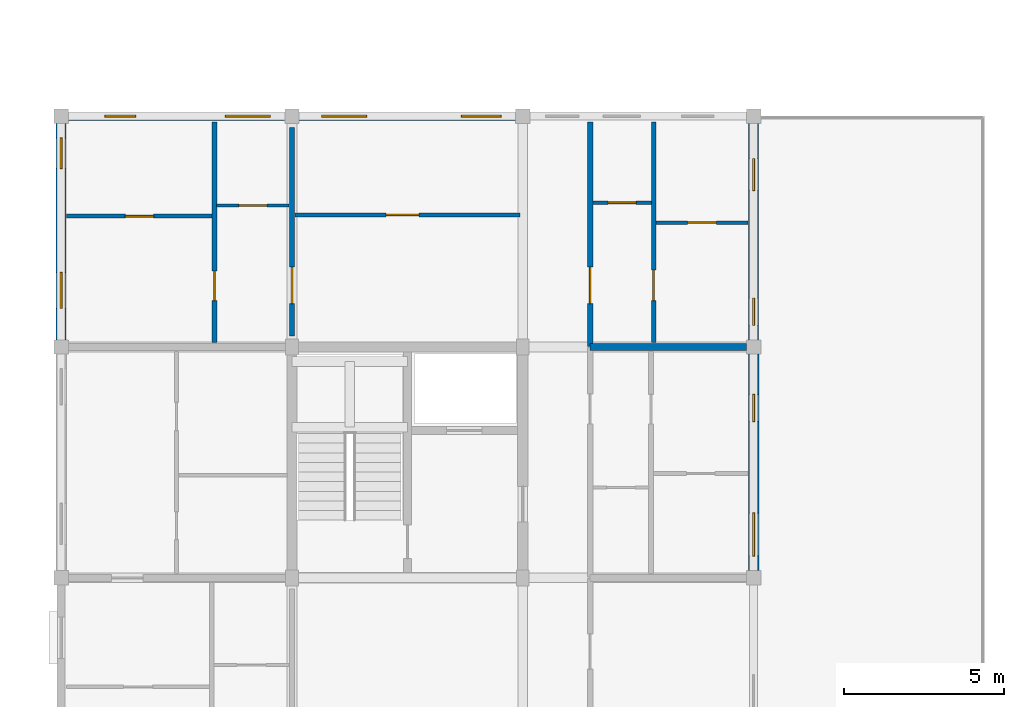
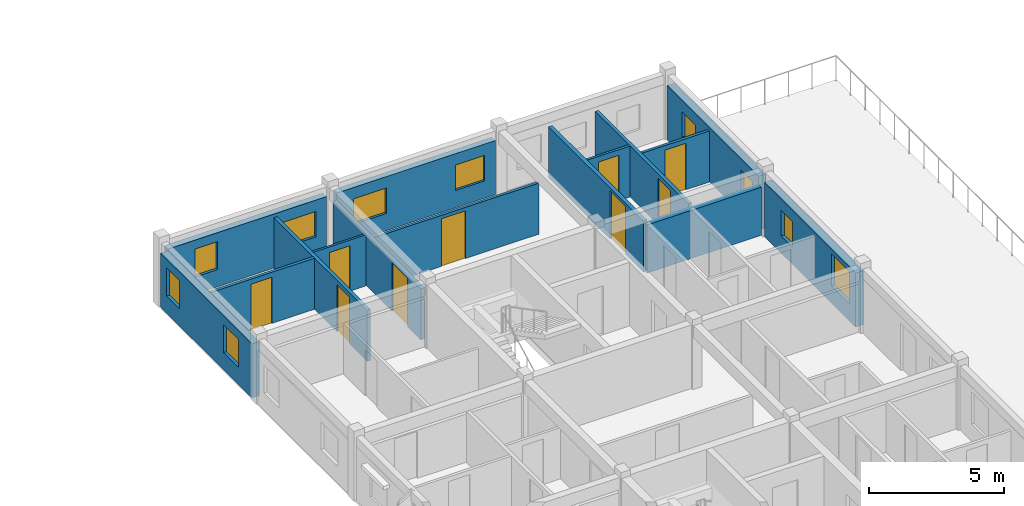
# One storey, part 29 of 40: 15 walls, 10 windows, 9 doors, 19 openings.
"""IFC4 building model written with IfcOpenShell, lengths in metres."""

from ifc_helpers import new_model, si_unit, direction, frame, frame_2d, origin, place, context, subcontext, project, spatial, rectangle, extrude, material, layer, layer_set, type_object, element, fill, save


model = new_model("IFC4")

# Units and contexts
model_context = context("Model", 3, precision=1e-05, world=origin(), true_north=direction((0.0, 1.0)))
body_context = subcontext(model_context, "Body", "Model", "MODEL_VIEW")
ifc_project = project(units=[si_unit("LENGTHUNIT", "METRE"), si_unit("AREAUNIT", "SQUARE_METRE"), si_unit("VOLUMEUNIT", "CUBIC_METRE"), si_unit("PLANEANGLEUNIT", "RADIAN"), si_unit("MASSUNIT", "GRAM", prefix="KILO"), si_unit("THERMODYNAMICTEMPERATUREUNIT", "KELVIN"), si_unit("POWERUNIT", "WATT")], contexts=[model_context])

# Site, building, storey
site_placement = place(None, origin())
site = spatial("IfcSite", under=ifc_project, at=site_placement, CompositionType="ELEMENT")
building_placement = place(site_placement, origin())
building = spatial("IfcBuilding", under=site, at=building_placement, Name="Tavuni Mirador Residences", CompositionType="ELEMENT")
storey_placement = place(building_placement, frame((0.0, 0.0, 36.0)))
storey = spatial("IfcBuildingStorey", under=building, at=storey_placement, Name="L11", CompositionType="ELEMENT", Elevation=36.0)

# Wall, opening, door
ifc_material_1 = material(Name="Precast concrete C40/50", Category="concrete")
ifc_layer_1 = layer(ifc_material_1, 0.1650390625, Name="Precast concrete C40/50", Category="concrete")
ifc_layer_set_1 = layer_set([ifc_layer_1], Name="Precast concrete C40/50")
wall_type_1 = type_object("IfcWallType", Name="WT-CORR165", PredefinedType="PARTITIONING", material=ifc_layer_set_1)
wall_1_placement = place(storey_placement, frame((20.10009765625, 36.02001953125, 0.0), z_axis=(0.0, 0.0, 1.0), x_axis=(0.0, 1.0, 0.0)))
wall_1 = element("IfcWall", 1, at=wall_1_placement, inside=storey, type_object=wall_type_1, Name="CORW-BLK-A-L11-0-04", PredefinedType="PARTITIONING", context=body_context, shape_type="SweptSolid", body=[
    extrude(rectangle(XDim=7.0048828125, YDim=0.1650390625, at=frame_2d((3.50244140625, 0.0))), origin(), (0.0, 0.0, 1.0), 2.304931640625),
])
opening_1_placement = place(wall_1_placement, frame((1.330078125, 0.0, 0.0)))
opening_1 = element("IfcOpeningElement", 2, at=opening_1_placement, cuts=wall_1, Name="Opening D-20", PredefinedType="OPENING", context=body_context, shape_type="SweptSolid", body=[
    extrude(rectangle(XDim=1.139892578125, YDim=2.179931640625, at=frame_2d((0.56982421875, 1.08984375))), frame((0.0, 0.092529296875, 0.0), z_axis=(0.0, -1.0, 0.0), x_axis=(1.0, 0.0, 0.0)), (0.0, 0.0, 1.0), 0.18505859375),
])
ifc_material_2 = material(Name="Solid core iroko timber", Category="wood")
door_type_1 = type_object("IfcDoorType", Name="DT-FD60-1140", OperationType="NOTDEFINED", PredefinedType="DOOR", material=ifc_material_2)
door_1_placement = place(opening_1_placement, origin())
door_1 = element("IfcDoor", 3, at=door_1_placement, inside=storey, type_object=door_type_1, Name="DR-2489", OperationType="SINGLE_SWING_RIGHT", OverallHeight=2.179931640625, OverallWidth=1.139892578125, PredefinedType="DOOR", context=body_context, shape_type="SweptSolid", body=[
    extrude(rectangle(XDim=1.139892578125, YDim=2.179931640625, at=frame_2d((0.56982421875, 1.08984375))), frame((0.0, 0.02490234375, 0.0), z_axis=(0.0, -1.0, 0.0), x_axis=(1.0, 0.0, 0.0)), (0.0, 0.0, 1.0), 0.050048828125),
])
fill(opening_1, door_1)

wall_2_placement = place(storey_placement, frame((10.800048828125, 36.35009765625, 0.0), z_axis=(0.0, 0.0, 1.0), x_axis=(0.0, 1.0, 0.0)))
wall_2 = element("IfcWall", 4, at=wall_2_placement, inside=storey, type_object=wall_type_1, Name="CORW-BLK-A-L11-1-04", PredefinedType="PARTITIONING", context=body_context, shape_type="SweptSolid", body=[
    extrude(rectangle(XDim=6.5, YDim=0.1650390625, at=frame_2d((3.25, 0.0))), origin(), (0.0, 0.0, 1.0), 2.304931640625),
])
opening_2_placement = place(wall_2_placement, frame((1.0, 0.0, 0.0)))
opening_2 = element("IfcOpeningElement", 5, at=opening_2_placement, cuts=wall_2, Name="Opening D-20", PredefinedType="OPENING", context=body_context, shape_type="SweptSolid", body=[
    extrude(rectangle(XDim=1.139892578125, YDim=2.179931640625, at=frame_2d((0.56982421875, 1.08984375))), frame((0.0, 0.092529296875, 0.0), z_axis=(0.0, -1.0, 0.0), x_axis=(1.0, 0.0, 0.0)), (0.0, 0.0, 1.0), 0.18505859375),
])
door_2_placement = place(opening_2_placement, origin())
door_2 = element("IfcDoor", 6, at=door_2_placement, inside=storey, type_object=door_type_1, Name="DR-2492", OperationType="SINGLE_SWING_LEFT", OverallHeight=2.179931640625, OverallWidth=1.139892578125, PredefinedType="DOOR", context=body_context, shape_type="SweptSolid", body=[
    extrude(rectangle(XDim=1.139892578125, YDim=2.179931640625, at=frame_2d((0.56982421875, 1.08984375))), frame((0.0, 0.02490234375, 0.0), z_axis=(0.0, -1.0, 0.0), x_axis=(1.0, 0.0, 0.0)), (0.0, 0.0, 1.0), 0.050048828125),
])
fill(opening_2, door_2)

# Wall, openings, windows
ifc_layer_2 = layer(ifc_material_1, 0.330078125, Name="Precast concrete C40/50", Category="concrete")
ifc_layer_set_2 = layer_set([ifc_layer_2], Name="Precast concrete C40/50")
wall_type_2 = type_object("IfcWallType", Name="WT-EXT-COR330", PredefinedType="SOLIDWALL", material=ifc_layer_set_2)
wall_3_placement = place(storey_placement, frame((25.199951171875, 29.02490234375, 0.0), z_axis=(0.0, 0.0, 1.0), x_axis=(0.0, 1.0, 0.0)))
wall_3 = element("IfcWall", 7, at=wall_3_placement, inside=storey, type_object=wall_type_2, Name="EW-BLK-A-L11-E03", PredefinedType="SOLIDWALL", context=body_context, shape_type="SweptSolid", body=[
    extrude(rectangle(XDim=6.75, YDim=0.330078125, at=frame_2d((3.375, 0.0))), origin(), (0.0, 0.0, 1.0), 2.43994140625),
])
opening_3_placement = place(wall_3_placement, frame((0.449951171875, 0.0, 0.780029296875)))
opening_3 = element("IfcOpeningElement", 8, at=opening_3_placement, cuts=wall_3, Name="Opening WN-29", PredefinedType="OPENING", context=body_context, shape_type="SweptSolid", body=[
    extrude(rectangle(XDim=1.35009765625, YDim=1.43994140625, at=frame_2d((0.675048828125, 0.719970703125))), frame((0.0, 0.175048828125, 0.0), z_axis=(0.0, -1.0, 0.0), x_axis=(1.0, 0.0, 0.0)), (0.0, 0.0, 1.0), 0.35009765625),
])
opening_4_placement = place(wall_3_placement, frame((4.64990234375, 0.0, 0.780029296875)))
opening_4 = element("IfcOpeningElement", 9, at=opening_4_placement, cuts=wall_3, Name="Opening WN-01", PredefinedType="OPENING", context=body_context, shape_type="SweptSolid", body=[
    extrude(rectangle(XDim=0.85009765625, YDim=1.14990234375, at=frame_2d((0.425048828125, 0.574951171875))), frame((0.0, 0.175048828125, 0.0), z_axis=(0.0, -1.0, 0.0), x_axis=(1.0, 0.0, 0.0)), (0.0, 0.0, 1.0), 0.35009765625),
])
ifc_material_3 = material(Name="Laminated solar-control glass", Category="glass")
window_type_1 = type_object("IfcWindowType", Name="WNT-01", PartitioningType="SINGLE_PANEL", PredefinedType="WINDOW", material=ifc_material_3)
window_1_placement = place(opening_4_placement, origin())
window_1 = element("IfcWindow", 10, at=window_1_placement, inside=storey, type_object=window_type_1, Name="WIN-0408", OverallHeight=1.14990234375, OverallWidth=0.85009765625, PartitioningType="SINGLE_PANEL", PredefinedType="WINDOW", context=body_context, shape_type="SweptSolid", body=[
    extrude(rectangle(XDim=0.85009765625, YDim=1.14990234375, at=frame_2d((0.425048828125, 0.574951171875))), frame((0.0, 0.030029296875, 0.0), z_axis=(0.0, -1.0, 0.0), x_axis=(1.0, 0.0, 0.0)), (0.0, 0.0, 1.0), 0.06005859375),
])
fill(opening_4, window_1)
window_type_2 = type_object("IfcWindowType", Name="WNT-29", PartitioningType="SINGLE_PANEL", PredefinedType="WINDOW", material=ifc_material_3)
window_2_placement = place(opening_3_placement, origin())
window_2 = element("IfcWindow", 11, at=window_2_placement, inside=storey, type_object=window_type_2, Name="WIN-0407", OverallHeight=1.43994140625, OverallWidth=1.35009765625, PartitioningType="SINGLE_PANEL", PredefinedType="WINDOW", context=body_context, shape_type="SweptSolid", body=[
    extrude(rectangle(XDim=1.35009765625, YDim=1.43994140625, at=frame_2d((0.675048828125, 0.719970703125))), frame((0.0, 0.030029296875, 0.0), z_axis=(0.0, -1.0, 0.0), x_axis=(1.0, 0.0, 0.0)), (0.0, 0.0, 1.0), 0.06005859375),
])
fill(opening_3, window_2)

ifc_material_4 = material(Name="Sgraffito lime-rendered precast concrete C40/50", Category="concrete")
ifc_layer_3 = layer(ifc_material_4, 0.2548828125, Name="Sgraffito lime-rendered precast concrete C40/50", Category="concrete")
ifc_layer_set_3 = layer_set([ifc_layer_3], Name="Sgraffito lime-rendered precast concrete C40/50")
wall_type_3 = type_object("IfcWallType", Name="WT-EXT-PC255", PredefinedType="SOLIDWALL", material=ifc_layer_set_3)
wall_4_placement = place(storey_placement, frame((17.77490234375, 43.199951171875, 0.0), z_axis=(0.0, 0.0, 1.0), x_axis=(-1.0, 0.0, 0.0)))
wall_4 = element("IfcWall", 12, at=wall_4_placement, inside=storey, type_object=wall_type_3, Name="EW-BLK-A-L11-N01", PredefinedType="SOLIDWALL", context=body_context, shape_type="SweptSolid", body=[
    extrude(rectangle(XDim=6.75, YDim=0.2548828125, at=frame_2d((3.375, 0.0))), origin(), (0.0, 0.0, 1.0), 2.43994140625),
])
opening_5_placement = place(wall_4_placement, frame((0.449951171875, 0.0, 0.780029296875)))
opening_5 = element("IfcOpeningElement", 13, at=opening_5_placement, cuts=wall_4, Name="Opening WN-06", PredefinedType="OPENING", context=body_context, shape_type="SweptSolid", body=[
    extrude(rectangle(XDim=1.239990234375, YDim=1.14990234375, at=frame_2d((0.6201171875, 0.574951171875))), frame((0.0, 0.137451171875, 0.0), z_axis=(0.0, -1.0, 0.0), x_axis=(1.0, 0.0, 0.0)), (0.0, 0.0, 1.0), 0.27490234375),
])
opening_6_placement = place(wall_4_placement, frame((4.64990234375, 0.0, 0.780029296875)))
opening_6 = element("IfcOpeningElement", 14, at=opening_6_placement, cuts=wall_4, Name="Opening WN-08", PredefinedType="OPENING", context=body_context, shape_type="SweptSolid", body=[
    extrude(rectangle(XDim=1.39990234375, YDim=1.14990234375, at=frame_2d((0.699951171875, 0.574951171875))), frame((0.0, 0.137451171875, 0.0), z_axis=(0.0, -1.0, 0.0), x_axis=(1.0, 0.0, 0.0)), (0.0, 0.0, 1.0), 0.27490234375),
])
window_type_3 = type_object("IfcWindowType", Name="WNT-06", PartitioningType="SINGLE_PANEL", PredefinedType="WINDOW", material=ifc_material_3)
window_3_placement = place(opening_5_placement, origin())
window_3 = element("IfcWindow", 15, at=window_3_placement, inside=storey, type_object=window_type_3, Name="WIN-0414", OverallHeight=1.14990234375, OverallWidth=1.239990234375, PartitioningType="SINGLE_PANEL", PredefinedType="WINDOW", context=body_context, shape_type="SweptSolid", body=[
    extrude(rectangle(XDim=1.239990234375, YDim=1.14990234375, at=frame_2d((0.6201171875, 0.574951171875))), frame((0.0, 0.030029296875, 0.0), z_axis=(0.0, -1.0, 0.0), x_axis=(1.0, 0.0, 0.0)), (0.0, 0.0, 1.0), 0.06005859375),
])
fill(opening_5, window_3)
window_type_4 = type_object("IfcWindowType", Name="WNT-08", PartitioningType="SINGLE_PANEL", PredefinedType="WINDOW", material=ifc_material_3)
window_4_placement = place(opening_6_placement, origin())
window_4 = element("IfcWindow", 16, at=window_4_placement, inside=storey, type_object=window_type_4, Name="WIN-0415", OverallHeight=1.14990234375, OverallWidth=1.39990234375, PartitioningType="SINGLE_PANEL", PredefinedType="WINDOW", context=body_context, shape_type="SweptSolid", body=[
    extrude(rectangle(XDim=1.39990234375, YDim=1.14990234375, at=frame_2d((0.699951171875, 0.574951171875))), frame((0.0, 0.030029296875, 0.0), z_axis=(0.0, -1.0, 0.0), x_axis=(1.0, 0.0, 0.0)), (0.0, 0.0, 1.0), 0.06005859375),
])
fill(opening_6, window_4)

ifc_layer_4 = layer(ifc_material_4, 0.27490234375, Name="Sgraffito lime-rendered precast concrete C40/50", Category="concrete")
ifc_layer_set_4 = layer_set([ifc_layer_4], Name="Sgraffito lime-rendered precast concrete C40/50")
wall_type_4 = type_object("IfcWallType", Name="WT-EXT-PC275", PredefinedType="SOLIDWALL", material=ifc_layer_set_4)
wall_5_placement = place(storey_placement, frame((10.574951171875, 43.199951171875, 0.0), z_axis=(0.0, 0.0, 1.0), x_axis=(-1.0, 0.0, 0.0)))
wall_5 = element("IfcWall", 17, at=wall_5_placement, inside=storey, type_object=wall_type_4, Name="EW-BLK-A-L11-N00", PredefinedType="SOLIDWALL", context=body_context, shape_type="SweptSolid", body=[
    extrude(rectangle(XDim=6.75, YDim=0.27490234375, at=frame_2d((3.375, 0.0))), origin(), (0.0, 0.0, 1.0), 2.43994140625),
])
opening_7_placement = place(wall_5_placement, frame((0.449951171875, 0.0, 0.780029296875)))
opening_7 = element("IfcOpeningElement", 18, at=opening_7_placement, cuts=wall_5, Name="Opening WN-08", PredefinedType="OPENING", context=body_context, shape_type="SweptSolid", body=[
    extrude(rectangle(XDim=1.39990234375, YDim=1.14990234375, at=frame_2d((0.699951171875, 0.574951171875))), frame((0.0, 0.1474609375, 0.0), z_axis=(0.0, -1.0, 0.0), x_axis=(1.0, 0.0, 0.0)), (0.0, 0.0, 1.0), 0.294921875),
])
opening_8_placement = place(wall_5_placement, frame((4.64990234375, 0.0, 0.780029296875)))
opening_8 = element("IfcOpeningElement", 19, at=opening_8_placement, cuts=wall_5, Name="Opening WN-10", PredefinedType="OPENING", context=body_context, shape_type="SweptSolid", body=[
    extrude(rectangle(XDim=0.9599609375, YDim=1.260009765625, at=frame_2d((0.47998046875, 0.6298828125))), frame((0.0, 0.1474609375, 0.0), z_axis=(0.0, -1.0, 0.0), x_axis=(1.0, 0.0, 0.0)), (0.0, 0.0, 1.0), 0.294921875),
])
window_5_placement = place(opening_7_placement, origin())
window_5 = element("IfcWindow", 20, at=window_5_placement, inside=storey, type_object=window_type_4, Name="WIN-0416", OverallHeight=1.14990234375, OverallWidth=1.39990234375, PartitioningType="SINGLE_PANEL", PredefinedType="WINDOW", context=body_context, shape_type="SweptSolid", body=[
    extrude(rectangle(XDim=1.39990234375, YDim=1.14990234375, at=frame_2d((0.699951171875, 0.574951171875))), frame((0.0, 0.030029296875, 0.0), z_axis=(0.0, -1.0, 0.0), x_axis=(1.0, 0.0, 0.0)), (0.0, 0.0, 1.0), 0.06005859375),
])
fill(opening_7, window_5)
window_type_5 = type_object("IfcWindowType", Name="WNT-10", PartitioningType="SINGLE_PANEL", PredefinedType="WINDOW", material=ifc_material_3)
window_6_placement = place(opening_8_placement, origin())
window_6 = element("IfcWindow", 21, at=window_6_placement, inside=storey, type_object=window_type_5, Name="WIN-0417", OverallHeight=1.260009765625, OverallWidth=0.9599609375, PartitioningType="SINGLE_PANEL", PredefinedType="WINDOW", context=body_context, shape_type="SweptSolid", body=[
    extrude(rectangle(XDim=0.9599609375, YDim=1.260009765625, at=frame_2d((0.47998046875, 0.6298828125))), frame((0.0, 0.030029296875, 0.0), z_axis=(0.0, -1.0, 0.0), x_axis=(1.0, 0.0, 0.0)), (0.0, 0.0, 1.0), 0.06005859375),
])
fill(opening_8, window_6)

ifc_layer_5 = layer(ifc_material_4, 0.31494140625, Name="Sgraffito lime-rendered precast concrete C40/50", Category="concrete")
ifc_layer_set_5 = layer_set([ifc_layer_5], Name="Sgraffito lime-rendered precast concrete C40/50")
wall_type_5 = type_object("IfcWallType", Name="WT-EXT-PC315", PredefinedType="SOLIDWALL", material=ifc_layer_set_5)
wall_6_placement = place(storey_placement, frame((25.199951171875, 36.22509765625, 0.0), z_axis=(0.0, 0.0, 1.0), x_axis=(0.0, 1.0, 0.0)))
wall_6 = element("IfcWall", 22, at=wall_6_placement, inside=storey, type_object=wall_type_5, Name="EW-BLK-A-L11-E04", PredefinedType="SOLIDWALL", context=body_context, shape_type="SweptSolid", body=[
    extrude(rectangle(XDim=6.75, YDim=0.31494140625, at=frame_2d((3.375, 0.0))), origin(), (0.0, 0.0, 1.0), 2.43994140625),
])
opening_9_placement = place(wall_6_placement, frame((0.449951171875, 0.0, 0.780029296875)))
opening_9 = element("IfcOpeningElement", 23, at=opening_9_placement, cuts=wall_6, Name="Opening WN-01", PredefinedType="OPENING", context=body_context, shape_type="SweptSolid", body=[
    extrude(rectangle(XDim=0.85009765625, YDim=1.14990234375, at=frame_2d((0.425048828125, 0.574951171875))), frame((0.0, 0.16748046875, 0.0), z_axis=(0.0, -1.0, 0.0), x_axis=(1.0, 0.0, 0.0)), (0.0, 0.0, 1.0), 0.3349609375),
])
opening_10_placement = place(wall_6_placement, frame((4.64990234375, 0.0, 0.780029296875)))
opening_10 = element("IfcOpeningElement", 24, at=opening_10_placement, cuts=wall_6, Name="Opening WN-03", PredefinedType="OPENING", context=body_context, shape_type="SweptSolid", body=[
    extrude(rectangle(XDim=1.0, YDim=1.14990234375, at=frame_2d((0.5, 0.574951171875))), frame((0.0, 0.16748046875, 0.0), z_axis=(0.0, -1.0, 0.0), x_axis=(1.0, 0.0, 0.0)), (0.0, 0.0, 1.0), 0.3349609375),
])
window_7_placement = place(opening_9_placement, origin())
window_7 = element("IfcWindow", 25, at=window_7_placement, inside=storey, type_object=window_type_1, Name="WIN-0409", OverallHeight=1.14990234375, OverallWidth=0.85009765625, PartitioningType="SINGLE_PANEL", PredefinedType="WINDOW", context=body_context, shape_type="SweptSolid", body=[
    extrude(rectangle(XDim=0.85009765625, YDim=1.14990234375, at=frame_2d((0.425048828125, 0.574951171875))), frame((0.0, 0.030029296875, 0.0), z_axis=(0.0, -1.0, 0.0), x_axis=(1.0, 0.0, 0.0)), (0.0, 0.0, 1.0), 0.06005859375),
])
fill(opening_9, window_7)
window_type_6 = type_object("IfcWindowType", Name="WNT-03", PartitioningType="SINGLE_PANEL", PredefinedType="WINDOW", material=ifc_material_3)
window_8_placement = place(opening_10_placement, origin())
window_8 = element("IfcWindow", 26, at=window_8_placement, inside=storey, type_object=window_type_6, Name="WIN-0410", OverallHeight=1.14990234375, OverallWidth=1.0, PartitioningType="SINGLE_PANEL", PredefinedType="WINDOW", context=body_context, shape_type="SweptSolid", body=[
    extrude(rectangle(XDim=1.0, YDim=1.14990234375, at=frame_2d((0.5, 0.574951171875))), frame((0.0, 0.030029296875, 0.0), z_axis=(0.0, -1.0, 0.0), x_axis=(1.0, 0.0, 0.0)), (0.0, 0.0, 1.0), 0.06005859375),
])
fill(opening_10, window_8)

wall_7_placement = place(storey_placement, frame((3.60009765625, 42.97509765625, 0.0), z_axis=(0.0, 0.0, 1.0), x_axis=(0.0, -1.0, 0.0)))
wall_7 = element("IfcWall", 27, at=wall_7_placement, inside=storey, type_object=wall_type_5, Name="EW-BLK-A-L11-W04", PredefinedType="SOLIDWALL", context=body_context, shape_type="SweptSolid", body=[
    extrude(rectangle(XDim=6.75, YDim=0.31494140625, at=frame_2d((3.375, 0.0))), origin(), (0.0, 0.0, 1.0), 2.43994140625),
])
opening_11_placement = place(wall_7_placement, frame((0.449951171875, 0.0, 0.780029296875)))
opening_11 = element("IfcOpeningElement", 28, at=opening_11_placement, cuts=wall_7, Name="Opening WN-10", PredefinedType="OPENING", context=body_context, shape_type="SweptSolid", body=[
    extrude(rectangle(XDim=0.9599609375, YDim=1.260009765625, at=frame_2d((0.47998046875, 0.6298828125))), frame((0.0, 0.16748046875, 0.0), z_axis=(0.0, -1.0, 0.0), x_axis=(1.0, 0.0, 0.0)), (0.0, 0.0, 1.0), 0.3349609375),
])
opening_12_placement = place(wall_7_placement, frame((4.64990234375, 0.0, 0.780029296875)))
opening_12 = element("IfcOpeningElement", 29, at=opening_12_placement, cuts=wall_7, Name="Opening WN-12", PredefinedType="OPENING", context=body_context, shape_type="SweptSolid", body=[
    extrude(rectangle(XDim=1.1201171875, YDim=1.260009765625, at=frame_2d((0.56005859375, 0.6298828125))), frame((0.0, 0.16748046875, 0.0), z_axis=(0.0, -1.0, 0.0), x_axis=(1.0, 0.0, 0.0)), (0.0, 0.0, 1.0), 0.3349609375),
])
window_9_placement = place(opening_11_placement, origin())
window_9 = element("IfcWindow", 30, at=window_9_placement, inside=storey, type_object=window_type_5, Name="WIN-0418", OverallHeight=1.260009765625, OverallWidth=0.9599609375, PartitioningType="SINGLE_PANEL", PredefinedType="WINDOW", context=body_context, shape_type="SweptSolid", body=[
    extrude(rectangle(XDim=0.9599609375, YDim=1.260009765625, at=frame_2d((0.47998046875, 0.6298828125))), frame((0.0, 0.030029296875, 0.0), z_axis=(0.0, -1.0, 0.0), x_axis=(1.0, 0.0, 0.0)), (0.0, 0.0, 1.0), 0.06005859375),
])
fill(opening_11, window_9)
window_type_7 = type_object("IfcWindowType", Name="WNT-12", PartitioningType="SINGLE_PANEL", PredefinedType="WINDOW", material=ifc_material_3)
window_10_placement = place(opening_12_placement, origin())
window_10 = element("IfcWindow", 31, at=window_10_placement, inside=storey, type_object=window_type_7, Name="WIN-0419", OverallHeight=1.260009765625, OverallWidth=1.1201171875, PartitioningType="SINGLE_PANEL", PredefinedType="WINDOW", context=body_context, shape_type="SweptSolid", body=[
    extrude(rectangle(XDim=1.1201171875, YDim=1.260009765625, at=frame_2d((0.56005859375, 0.6298828125))), frame((0.0, 0.030029296875, 0.0), z_axis=(0.0, -1.0, 0.0), x_axis=(1.0, 0.0, 0.0)), (0.0, 0.0, 1.0), 0.06005859375),
])
fill(opening_12, window_10)

# Wall, opening, door
ifc_material_5 = material(Name="Acoustic gypsum and concrete block partition", Category="concrete")
ifc_layer_6 = layer(ifc_material_5, 0.094970703125, Name="Acoustic gypsum and concrete block partition", Category="concrete")
ifc_layer_set_6 = layer_set([ifc_layer_6], Name="Acoustic gypsum and concrete block partition")
wall_type_6 = type_object("IfcWallType", Name="WT-PART095", PredefinedType="PARTITIONING", material=ifc_layer_set_6)
wall_8_placement = place(storey_placement, frame((8.449951171875, 40.419921875, 0.0), z_axis=(0.0, 0.0, 1.0), x_axis=(1.0, 0.0, 0.0)))
wall_8 = element("IfcWall", 32, at=wall_8_placement, inside=storey, type_object=wall_type_6, Name="PW-BLK-A-L11-W04-IN1", PredefinedType="PARTITIONING", context=body_context, shape_type="SweptSolid", body=[
    extrude(rectangle(XDim=2.260009765625, YDim=0.094970703125, at=frame_2d((1.1298828125, 0.0))), origin(), (0.0, 0.0, 1.0), 2.304931640625),
])
opening_13_placement = place(wall_8_placement, frame((0.695068359375, 0.0, 0.0)))
opening_13 = element("IfcOpeningElement", 33, at=opening_13_placement, cuts=wall_8, Name="Opening D-10", PredefinedType="OPENING", context=body_context, shape_type="SweptSolid", body=[
    extrude(rectangle(XDim=0.8701171875, YDim=2.050048828125, at=frame_2d((0.43505859375, 1.02490234375))), frame((0.0, 0.0576171875, 0.0), z_axis=(0.0, -1.0, 0.0), x_axis=(1.0, 0.0, 0.0)), (0.0, 0.0, 1.0), 0.114990234375),
])
door_type_2 = type_object("IfcDoorType", Name="DT-WC870", OperationType="NOTDEFINED", PredefinedType="DOOR", material=ifc_material_2)
door_3_placement = place(opening_13_placement, origin())
door_3 = element("IfcDoor", 34, at=door_3_placement, inside=storey, type_object=door_type_2, Name="DR-3311", OperationType="SINGLE_SWING_LEFT", OverallHeight=2.050048828125, OverallWidth=0.8701171875, PredefinedType="DOOR", context=body_context, shape_type="SweptSolid", body=[
    extrude(rectangle(XDim=0.8701171875, YDim=2.050048828125, at=frame_2d((0.43505859375, 1.02490234375))), frame((0.0, 0.02490234375, 0.0), z_axis=(0.0, -1.0, 0.0), x_axis=(1.0, 0.0, 0.0)), (0.0, 0.0, 1.0), 0.050048828125),
])
fill(opening_13, door_3)

ifc_layer_7 = layer(ifc_material_5, 0.10498046875, Name="Acoustic gypsum and concrete block partition", Category="concrete")
ifc_layer_set_7 = layer_set([ifc_layer_7], Name="Acoustic gypsum and concrete block partition")
wall_type_7 = type_object("IfcWallType", Name="WT-PART105", PredefinedType="PARTITIONING", material=ifc_layer_set_7)
wall_9_placement = place(storey_placement, frame((20.18994140625, 40.5, 0.0), z_axis=(0.0, 0.0, 1.0), x_axis=(1.0, 0.0, 0.0)))
wall_9 = element("IfcWall", 35, at=wall_9_placement, inside=storey, type_object=wall_type_7, Name="PW-BLK-A-L11-E04-IN1", PredefinedType="PARTITIONING", context=body_context, shape_type="SweptSolid", body=[
    extrude(rectangle(XDim=1.820068359375, YDim=0.10498046875, at=frame_2d((0.91015625, 0.0))), origin(), (0.0, 0.0, 1.0), 2.304931640625),
])
opening_14_placement = place(wall_9_placement, frame((0.47509765625, 0.0, 0.0)))
opening_14 = element("IfcOpeningElement", 36, at=opening_14_placement, cuts=wall_9, Name="Opening D-10", PredefinedType="OPENING", context=body_context, shape_type="SweptSolid", body=[
    extrude(rectangle(XDim=0.8701171875, YDim=2.050048828125, at=frame_2d((0.43505859375, 1.02490234375))), frame((0.0, 0.0625, 0.0), z_axis=(0.0, -1.0, 0.0), x_axis=(1.0, 0.0, 0.0)), (0.0, 0.0, 1.0), 0.125),
])
door_4_placement = place(opening_14_placement, origin())
door_4 = element("IfcDoor", 37, at=door_4_placement, inside=storey, type_object=door_type_2, Name="DR-3314", OperationType="SINGLE_SWING_RIGHT", OverallHeight=2.050048828125, OverallWidth=0.8701171875, PredefinedType="DOOR", context=body_context, shape_type="SweptSolid", body=[
    extrude(rectangle(XDim=0.8701171875, YDim=2.050048828125, at=frame_2d((0.43505859375, 1.02490234375))), frame((0.0, 0.02490234375, 0.0), z_axis=(0.0, -1.0, 0.0), x_axis=(1.0, 0.0, 0.0)), (0.0, 0.0, 1.0), 0.050048828125),
])
fill(opening_14, door_4)

ifc_layer_8 = layer(ifc_material_5, 0.114990234375, Name="Acoustic gypsum and concrete block partition", Category="concrete")
ifc_layer_set_8 = layer_set([ifc_layer_8], Name="Acoustic gypsum and concrete block partition")
wall_type_8 = type_object("IfcWallType", Name="WT-PART115", PredefinedType="PARTITIONING", material=ifc_layer_set_8)
wall_10_placement = place(storey_placement, frame((10.889892578125, 40.1201171875, 0.0), z_axis=(0.0, 0.0, 1.0), x_axis=(1.0, 0.0, 0.0)))
wall_10 = element("IfcWall", 38, at=wall_10_placement, inside=storey, type_object=wall_type_8, Name="PW-SPN-BLK-A-L11-04", PredefinedType="PARTITIONING", context=body_context, shape_type="SweptSolid", body=[
    extrude(rectangle(XDim=7.02001953125, YDim=0.114990234375, at=frame_2d((3.510009765625, 0.0))), origin(), (0.0, 0.0, 1.0), 2.304931640625),
])
opening_15_placement = place(wall_10_placement, frame((2.85009765625, 0.0, 0.0)))
opening_15 = element("IfcOpeningElement", 39, at=opening_15_placement, cuts=wall_10, Name="Opening D-13", PredefinedType="OPENING", context=body_context, shape_type="SweptSolid", body=[
    extrude(rectangle(XDim=1.02001953125, YDim=2.14990234375, at=frame_2d((0.510009765625, 1.074951171875))), frame((0.0, 0.0673828125, 0.0), z_axis=(0.0, -1.0, 0.0), x_axis=(1.0, 0.0, 0.0)), (0.0, 0.0, 1.0), 0.135009765625),
])
door_type_3 = type_object("IfcDoorType", Name="DT-MTG1020", OperationType="NOTDEFINED", PredefinedType="DOOR", material=ifc_material_2)
door_5_placement = place(opening_15_placement, origin())
door_5 = element("IfcDoor", 40, at=door_5_placement, inside=storey, type_object=door_type_3, Name="DR-3309", OperationType="SINGLE_SWING_LEFT", OverallHeight=2.14990234375, OverallWidth=1.02001953125, PredefinedType="DOOR", context=body_context, shape_type="SweptSolid", body=[
    extrude(rectangle(XDim=1.02001953125, YDim=2.14990234375, at=frame_2d((0.510009765625, 1.074951171875))), frame((0.0, 0.02490234375, 0.0), z_axis=(0.0, -1.0, 0.0), x_axis=(1.0, 0.0, 0.0)), (0.0, 0.0, 1.0), 0.050048828125),
])
fill(opening_15, door_5)

wall_11_placement = place(storey_placement, frame((22.14990234375, 39.8798828125, 0.0), z_axis=(0.0, 0.0, 1.0), x_axis=(1.0, 0.0, 0.0)))
wall_11 = element("IfcWall", 41, at=wall_11_placement, inside=storey, type_object=wall_type_8, Name="PW-BLK-A-L11-E04-OUT", PredefinedType="PARTITIONING", context=body_context, shape_type="SweptSolid", body=[
    extrude(rectangle(XDim=2.875, YDim=0.114990234375, at=frame_2d((1.4375, 0.0))), origin(), (0.0, 0.0, 1.0), 2.304931640625),
])
opening_16_placement = place(wall_11_placement, frame((0.987548828125, 0.0, 0.0)))
opening_16 = element("IfcOpeningElement", 42, at=opening_16_placement, cuts=wall_11, Name="Opening D-07", PredefinedType="OPENING", context=body_context, shape_type="SweptSolid", body=[
    extrude(rectangle(XDim=0.89990234375, YDim=2.10009765625, at=frame_2d((0.449951171875, 1.050048828125))), frame((0.0, 0.0673828125, 0.0), z_axis=(0.0, -1.0, 0.0), x_axis=(1.0, 0.0, 0.0)), (0.0, 0.0, 1.0), 0.135009765625),
])
door_type_4 = type_object("IfcDoorType", Name="DT-BED900", OperationType="NOTDEFINED", PredefinedType="DOOR", material=ifc_material_2)
door_6_placement = place(opening_16_placement, origin())
door_6 = element("IfcDoor", 43, at=door_6_placement, inside=storey, type_object=door_type_4, Name="DR-3313", OperationType="SINGLE_SWING_LEFT", OverallHeight=2.10009765625, OverallWidth=0.89990234375, PredefinedType="DOOR", context=body_context, shape_type="SweptSolid", body=[
    extrude(rectangle(XDim=0.89990234375, YDim=2.10009765625, at=frame_2d((0.449951171875, 1.050048828125))), frame((0.0, 0.02490234375, 0.0), z_axis=(0.0, -1.0, 0.0), x_axis=(1.0, 0.0, 0.0)), (0.0, 0.0, 1.0), 0.050048828125),
])
fill(opening_16, door_6)

ifc_layer_9 = layer(ifc_material_5, 0.125, Name="Acoustic gypsum and concrete block partition", Category="concrete")
ifc_layer_set_9 = layer_set([ifc_layer_9], Name="Acoustic gypsum and concrete block partition")
wall_type_9 = type_object("IfcWallType", Name="WT-PART125", PredefinedType="PARTITIONING", material=ifc_layer_set_9)
wall_12_placement = place(storey_placement, frame((3.77490234375, 40.080078125, 0.0), z_axis=(0.0, 0.0, 1.0), x_axis=(1.0, 0.0, 0.0)))
wall_12 = element("IfcWall", 44, at=wall_12_placement, inside=storey, type_object=wall_type_9, Name="PW-BLK-A-L11-W04-OUT", PredefinedType="PARTITIONING", context=body_context, shape_type="SweptSolid", body=[
    extrude(rectangle(XDim=4.53515625, YDim=0.125, at=frame_2d((2.267578125, 0.0))), origin(), (0.0, 0.0, 1.0), 2.304931640625),
])
opening_17_placement = place(wall_12_placement, frame((1.827392578125, 0.0, 0.0)))
opening_17 = element("IfcOpeningElement", 45, at=opening_17_placement, cuts=wall_12, Name="Opening D-08", PredefinedType="OPENING", context=body_context, shape_type="SweptSolid", body=[
    extrude(rectangle(XDim=0.8798828125, YDim=2.080078125, at=frame_2d((0.43994140625, 1.0400390625))), frame((0.0, 0.072509765625, 0.0), z_axis=(0.0, -1.0, 0.0), x_axis=(1.0, 0.0, 0.0)), (0.0, 0.0, 1.0), 0.14501953125),
])
door_type_5 = type_object("IfcDoorType", Name="DT-BED880", OperationType="NOTDEFINED", PredefinedType="DOOR", material=ifc_material_2)
door_7_placement = place(opening_17_placement, origin())
door_7 = element("IfcDoor", 46, at=door_7_placement, inside=storey, type_object=door_type_5, Name="DR-3310", OperationType="SINGLE_SWING_RIGHT", OverallHeight=2.080078125, OverallWidth=0.8798828125, PredefinedType="DOOR", context=body_context, shape_type="SweptSolid", body=[
    extrude(rectangle(XDim=0.8798828125, YDim=2.080078125, at=frame_2d((0.43994140625, 1.0400390625))), frame((0.0, 0.02490234375, 0.0), z_axis=(0.0, -1.0, 0.0), x_axis=(1.0, 0.0, 0.0)), (0.0, 0.0, 1.0), 0.050048828125),
])
fill(opening_17, door_7)

ifc_layer_10 = layer(ifc_material_5, 0.139892578125, Name="Acoustic gypsum and concrete block partition", Category="concrete")
ifc_layer_set_10 = layer_set([ifc_layer_10], Name="Acoustic gypsum and concrete block partition")
wall_type_10 = type_object("IfcWallType", Name="WT-PART140", PredefinedType="PARTITIONING", material=ifc_layer_set_10)
wall_13_placement = place(storey_placement, frame((22.080078125, 36.139892578125, 0.0), z_axis=(0.0, 0.0, 1.0), x_axis=(0.0, 1.0, 0.0)))
wall_13 = element("IfcWall", 47, at=wall_13_placement, inside=storey, type_object=wall_type_10, Name="PW-BLK-A-L11-E04-MID", PredefinedType="PARTITIONING", context=body_context, shape_type="SweptSolid", body=[
    extrude(rectangle(XDim=6.885009765625, YDim=0.139892578125, at=frame_2d((3.4423828125, 0.0))), origin(), (0.0, 0.0, 1.0), 2.304931640625),
])
opening_18_placement = place(wall_13_placement, frame((1.31005859375, 0.0, 0.0)))
opening_18 = element("IfcOpeningElement", 48, at=opening_18_placement, cuts=wall_13, Name="Opening D-05", PredefinedType="OPENING", context=body_context, shape_type="SweptSolid", body=[
    extrude(rectangle(XDim=0.949951171875, YDim=2.10009765625, at=frame_2d((0.47509765625, 1.050048828125))), frame((0.0, 0.080078125, 0.0), z_axis=(0.0, -1.0, 0.0), x_axis=(1.0, 0.0, 0.0)), (0.0, 0.0, 1.0), 0.159912109375),
])
door_type_6 = type_object("IfcDoorType", Name="DT-INT950", OperationType="NOTDEFINED", PredefinedType="DOOR", material=ifc_material_2)
door_8_placement = place(opening_18_placement, origin())
door_8 = element("IfcDoor", 49, at=door_8_placement, inside=storey, type_object=door_type_6, Name="DR-3315", OperationType="SINGLE_SWING_LEFT", OverallHeight=2.10009765625, OverallWidth=0.949951171875, PredefinedType="DOOR", context=body_context, shape_type="SweptSolid", body=[
    extrude(rectangle(XDim=0.949951171875, YDim=2.10009765625, at=frame_2d((0.47509765625, 1.050048828125))), frame((0.0, 0.02490234375, 0.0), z_axis=(0.0, -1.0, 0.0), x_axis=(1.0, 0.0, 0.0)), (0.0, 0.0, 1.0), 0.050048828125),
])
fill(opening_18, door_8)

ifc_layer_11 = layer(ifc_material_5, 0.14990234375, Name="Acoustic gypsum and concrete block partition", Category="concrete")
ifc_layer_set_11 = layer_set([ifc_layer_11], Name="Acoustic gypsum and concrete block partition")
wall_type_11 = type_object("IfcWallType", Name="WT-PART150", PredefinedType="PARTITIONING", material=ifc_layer_set_11)
wall_14_placement = place(storey_placement, frame((8.3798828125, 36.139892578125, 0.0), z_axis=(0.0, 0.0, 1.0), x_axis=(0.0, 1.0, 0.0)))
wall_14 = element("IfcWall", 50, at=wall_14_placement, inside=storey, type_object=wall_type_11, Name="PW-BLK-A-L11-W04-MID", PredefinedType="PARTITIONING", context=body_context, shape_type="SweptSolid", body=[
    extrude(rectangle(XDim=6.885009765625, YDim=0.14990234375, at=frame_2d((3.4423828125, 0.0))), origin(), (0.0, 0.0, 1.0), 2.304931640625),
])
opening_19_placement = place(wall_14_placement, frame((1.31005859375, 0.0, 0.0)))
opening_19 = element("IfcOpeningElement", 51, at=opening_19_placement, cuts=wall_14, Name="Opening D-06", PredefinedType="OPENING", context=body_context, shape_type="SweptSolid", body=[
    extrude(rectangle(XDim=0.919921875, YDim=2.10009765625, at=frame_2d((0.4599609375, 1.050048828125))), frame((0.0, 0.0849609375, 0.0), z_axis=(0.0, -1.0, 0.0), x_axis=(1.0, 0.0, 0.0)), (0.0, 0.0, 1.0), 0.169921875),
])
door_type_7 = type_object("IfcDoorType", Name="DT-INT920", OperationType="NOTDEFINED", PredefinedType="DOOR", material=ifc_material_2)
door_9_placement = place(opening_19_placement, origin())
door_9 = element("IfcDoor", 52, at=door_9_placement, inside=storey, type_object=door_type_7, Name="DR-3312", OperationType="SINGLE_SWING_RIGHT", OverallHeight=2.10009765625, OverallWidth=0.919921875, PredefinedType="DOOR", context=body_context, shape_type="SweptSolid", body=[
    extrude(rectangle(XDim=0.919921875, YDim=2.10009765625, at=frame_2d((0.4599609375, 1.050048828125))), frame((0.0, 0.02490234375, 0.0), z_axis=(0.0, -1.0, 0.0), x_axis=(1.0, 0.0, 0.0)), (0.0, 0.0, 1.0), 0.050048828125),
])
fill(opening_19, door_9)

# Wall
ifc_layer_12 = layer(ifc_material_1, 0.215087890625, Name="Precast concrete C40/50", Category="concrete")
ifc_layer_set_12 = layer_set([ifc_layer_12], Name="Precast concrete C40/50")
wall_type_12 = type_object("IfcWallType", Name="WT-XW215", PredefinedType="SOLIDWALL", material=ifc_layer_set_12)
wall_15_placement = place(storey_placement, frame((20.10009765625, 36.0, 0.0), z_axis=(0.0, 0.0, 1.0), x_axis=(1.0, 0.0, 0.0)))
element("IfcWall", 53, at=wall_15_placement, inside=storey, type_object=wall_type_12, Name="XW-BLK-A-L11-E-04", PredefinedType="SOLIDWALL", context=body_context, shape_type="SweptSolid", body=[
    extrude(rectangle(XDim=4.875, YDim=0.215087890625, at=frame_2d((2.4375, 0.0))), origin(), (0.0, 0.0, 1.0), 2.169921875),
])

save(model, "model.ifc")
